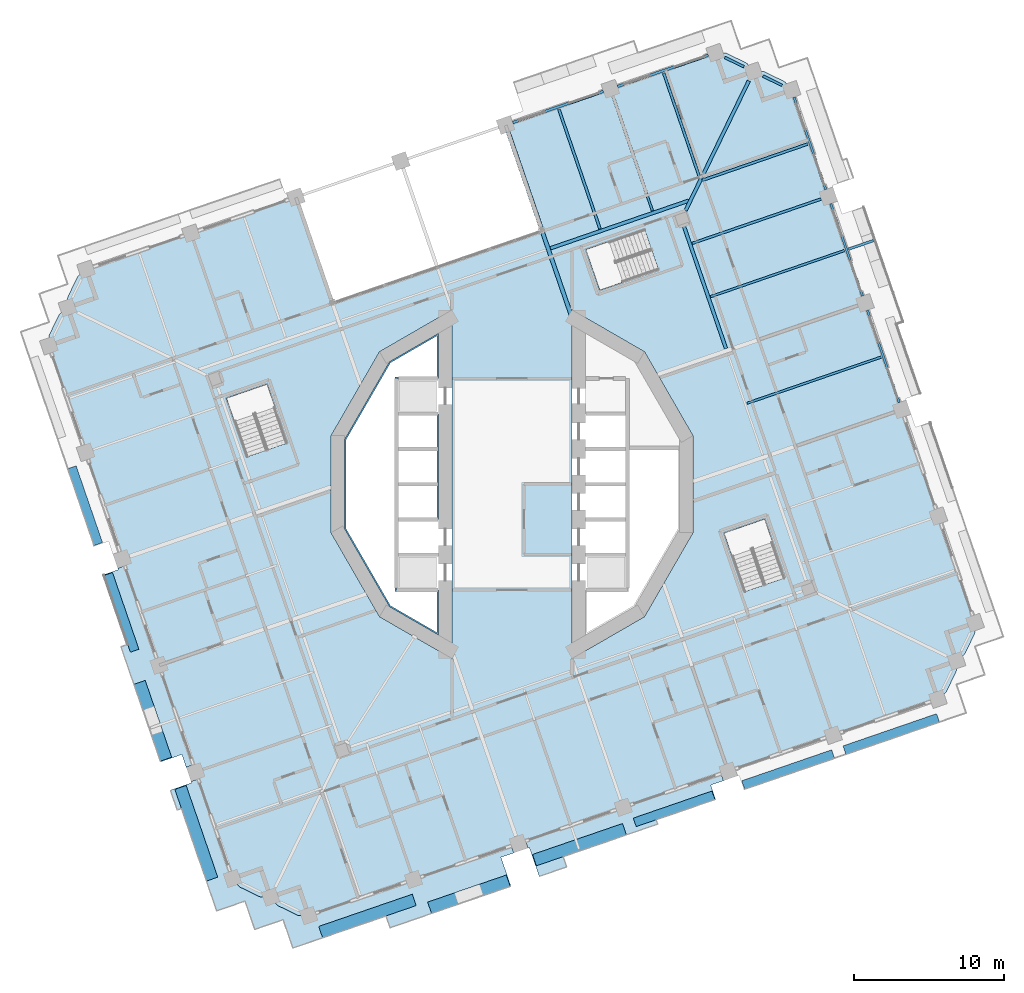
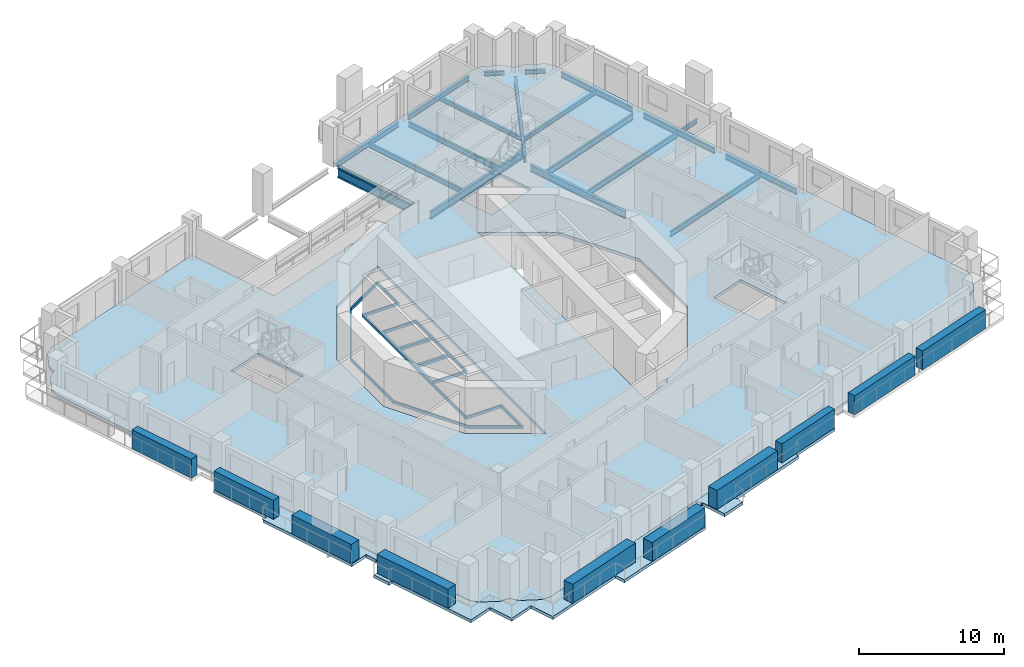
# One storey, part 5 of 22: 19 beams, 10 plates, 5 slabs.
"""IFC4 building model written with IfcOpenShell, lengths in metres."""

from ifc_helpers import new_model, si_unit, direction, frame, origin, origin_2d, place, context, subcontext, project, spatial, polyline, rectangle, i_section, outline, extrude, material, layer, layer_set, material_profile, profile_set, type_object, element, save


model = new_model("IFC4")

# Units and contexts
model_context = context("Model", 3, precision=1e-05, world=origin(), true_north=direction((0.0, 1.0)))
body_context = subcontext(model_context, "Body", "Model", "MODEL_VIEW")
ifc_project = project(units=[si_unit("LENGTHUNIT", "METRE"), si_unit("AREAUNIT", "SQUARE_METRE"), si_unit("VOLUMEUNIT", "CUBIC_METRE"), si_unit("PLANEANGLEUNIT", "RADIAN"), si_unit("MASSUNIT", "GRAM", prefix="KILO")], contexts=[model_context])

# Site, building, storey
site_placement = place(None, origin())
site = spatial("IfcSite", under=ifc_project, at=site_placement, CompositionType="ELEMENT")
building_placement = place(site_placement, origin())
building = spatial("IfcBuilding", under=site, at=building_placement, Name="Cantera Rosa Tower", CompositionType="ELEMENT")
storey_placement = place(building_placement, frame((0.0, 0.0, 138.300048828125)))
storey = spatial("IfcBuildingStorey", under=building, at=storey_placement, Name="L29", CompositionType="ELEMENT", Elevation=138.300048828125)

# Beams
ifc_material_1 = material(Name="Steel ASTM A992 (Fy 345 MPa)", Category="steel")
ifc_material_profile_1 = material_profile(ifc_material_1, i_section(OverallWidth=0.154052734375, OverallDepth=0.4599609375, WebThickness=0.009033203125, FlangeThickness=0.015380859375, FilletRadius=0.01025390625, at=origin_2d()), Name="W460X68")
ifc_profile_set_1 = profile_set([ifc_material_profile_1], Name="Steel ASTM A992 (Fy 345 MPa)")
beam_type_1 = type_object("IfcBeamType", Name="STEEL BEAM W460X68", PredefinedType="BEAM", material=ifc_profile_set_1)
beam_1_placement = place(storey_placement, frame((6.7333984375, 25.903564453125, -0.47998046875), z_axis=(0.325580085327, -0.945514467387, 0.0), x_axis=(0.945514467387, 0.325580085327, 0.0)))
element("IfcBeam", 1, at=beam_1_placement, inside=storey, type_object=beam_type_1, Name="G-Z2-05 L29", PredefinedType="BEAM", context=body_context, shape_type="SweptSolid", body=[
    extrude(i_section(OverallWidth=0.154052734375, OverallDepth=0.4599609375, WebThickness=0.009033203125, FlangeThickness=0.015380859375, FilletRadius=0.01025390625, at=origin_2d()), origin(), (0.0, 0.0, 1.0), 8.10009765625),
])
ifc_material_2 = material(Name="Steel ASTM A992 (Fy 345 MPa)", Category="steel")
ifc_material_profile_2 = material_profile(ifc_material_2, i_section(OverallWidth=0.166015625, OverallDepth=0.528076171875, WebThickness=0.009765625, FlangeThickness=0.013671875, FilletRadius=0.0126953125, at=origin_2d()), Name="W530X74")
ifc_profile_set_2 = profile_set([ifc_material_profile_2], Name="Steel ASTM A992 (Fy 345 MPa)")
beam_type_2 = type_object("IfcBeamType", Name="STEEL BEAM W530X74", PredefinedType="BEAM", material=ifc_profile_set_2)
beam_2_placement = place(storey_placement, frame((20.62744140625, 19.032470703125, -0.51416015625), z_axis=(-0.94551971591, -0.325564842737, 0.0), x_axis=(0.325564842737, -0.94551971591, 0.0)))
element("IfcBeam", 2, at=beam_2_placement, inside=storey, type_object=beam_type_2, Name="G-Z2-04 L29", PredefinedType="BEAM", context=body_context, shape_type="SweptSolid", body=[
    extrude(i_section(OverallWidth=0.166015625, OverallDepth=0.528076171875, WebThickness=0.009765625, FlangeThickness=0.013671875, FilletRadius=0.0126953125, at=origin_2d()), origin(), (0.0, 0.0, 1.0), 9.10009765625),
])
ifc_material_3 = material(Name="Steel ASTM A992 (Fy 345 MPa)", Category="steel")
ifc_material_profile_3 = material_profile(ifc_material_3, i_section(OverallWidth=0.22802734375, OverallDepth=0.60205078125, WebThickness=0.010498046875, FlangeThickness=0.014892578125, FilletRadius=0.0126953125, at=origin_2d()), Name="W610X101")
ifc_profile_set_3 = profile_set([ifc_material_profile_3], Name="Steel ASTM A992 (Fy 345 MPa)")
beam_type_3 = type_object("IfcBeamType", Name="STEEL BEAM W610X101", PredefinedType="BEAM", material=ifc_profile_set_3)
beam_3_placement = place(storey_placement, frame((15.7998046875, 26.909912109375, -0.551025390625), z_axis=(-0.438387618569, -0.898786012288, 0.0), x_axis=(0.898786012288, -0.438387618569, 0.0)))
element("IfcBeam", 3, at=beam_3_placement, inside=storey, type_object=beam_type_3, Name="CB-Z2-01 L29", PredefinedType="BEAM", context=body_context, shape_type="SweptSolid", body=[
    extrude(i_section(OverallWidth=0.22802734375, OverallDepth=0.60205078125, WebThickness=0.010498046875, FlangeThickness=0.014892578125, FilletRadius=0.0126953125, at=origin_2d()), origin(), (0.0, 0.0, 1.0), 9.61669921875),
])
beam_4_placement = place(storey_placement, frame((14.28076171875, 9.052490234375, -0.551025390625), z_axis=(-0.325559468466, 0.945521566381, 0.0), x_axis=(-0.945521566381, -0.325559468466, 0.0)))
element("IfcBeam", 4, at=beam_4_placement, inside=storey, type_object=beam_type_3, Name="RB-Z2-11 L29", PredefinedType="BEAM", context=body_context, shape_type="SweptSolid", body=[
    extrude(i_section(OverallWidth=0.22802734375, OverallDepth=0.60205078125, WebThickness=0.010498046875, FlangeThickness=0.014892578125, FilletRadius=0.0126953125, at=origin_2d()), origin(), (0.0, 0.0, 1.0), 8.68994140625),
])
ifc_material_4 = material(Name="Steel ASTM A992 (Fy 345 MPa)", Category="steel")
ifc_material_profile_4 = material_profile(ifc_material_4, i_section(OverallWidth=0.22900390625, OverallDepth=0.612060546875, WebThickness=0.011962890625, FlangeThickness=0.01953125, FilletRadius=0.0126953125, at=origin_2d()), Name="W610X125")
ifc_profile_set_4 = profile_set([ifc_material_profile_4], Name="Steel ASTM A992 (Fy 345 MPa)")
beam_type_4 = type_object("IfcBeamType", Name="STEEL BEAM W610X125", PredefinedType="BEAM", material=ifc_profile_set_4)
beam_5_placement = place(storey_placement, frame((2.564453125, 15.74267578125, -0.55615234375), z_axis=(0.945524824291, 0.325550006372, 0.0), x_axis=(-0.325550006372, 0.945524824291, 0.0)))
element("IfcBeam", 5, at=beam_5_placement, inside=storey, type_object=beam_type_4, Name="RB-Z2-04 L29", PredefinedType="BEAM", context=body_context, shape_type="SweptSolid", body=[
    extrude(i_section(OverallWidth=0.22900390625, OverallDepth=0.612060546875, WebThickness=0.011962890625, FlangeThickness=0.01953125, FilletRadius=0.0126953125, at=origin_2d()), origin(), (0.0, 0.0, 1.0), 9.749755859375),
])
ifc_material_5 = material(Name="Steel ASTM A992 (Fy 345 MPa)", Category="steel")
ifc_material_profile_5 = material_profile(ifc_material_5, i_section(OverallWidth=0.26708984375, OverallDepth=0.75390625, WebThickness=0.01318359375, FlangeThickness=0.01708984375, FilletRadius=0.0166015625, at=origin_2d()), Name="W760X147")
ifc_profile_set_5 = profile_set([ifc_material_profile_5], Name="Steel ASTM A992 (Fy 345 MPa)")
beam_type_5 = type_object("IfcBeamType", Name="STEEL BEAM W760X147", PredefinedType="BEAM", material=ifc_profile_set_5)
beam_6_placement = place(storey_placement, frame((-0.263427734375, 23.494384765625, -0.626953125), z_axis=(0.325569500581, -0.945518112091, 0.0), x_axis=(0.945518112091, 0.325569500581, 0.0)))
element("IfcBeam", 6, at=beam_6_placement, inside=storey, type_object=beam_type_5, Name="G-Z2-06 L29", PredefinedType="BEAM", context=body_context, shape_type="SweptSolid", body=[
    extrude(i_section(OverallWidth=0.26708984375, OverallDepth=0.75390625, WebThickness=0.01318359375, FlangeThickness=0.01708984375, FilletRadius=0.0166015625, at=origin_2d()), origin(), (0.0, 0.0, 1.0), 13.09521484375),
])
ifc_material_6 = material(Name="Steel ASTM A992 (Fy 345 MPa)", Category="steel")
ifc_material_profile_6 = material_profile(ifc_material_6, i_section(OverallWidth=0.1708984375, OverallDepth=0.35595703125, WebThickness=0.00732421875, FlangeThickness=0.01171875, FilletRadius=0.010009765625, at=origin_2d()), Name="W360X51")
ifc_profile_set_6 = profile_set([ifc_material_profile_6], Name="Steel ASTM A992 (Fy 345 MPa)")
beam_type_6 = type_object("IfcBeamType", Name="STEEL JOIST W360X51", PredefinedType="JOIST", material=ifc_profile_set_6)
beam_7_placement = place(storey_placement, frame((19.734130859375, 22.70166015625, -0.427978515625), z_axis=(-0.945518264054, -0.32556905925, 0.0), x_axis=(0.32556905925, -0.945518264054, 0.0)))
element("IfcBeam", 7, at=beam_7_placement, inside=storey, type_object=beam_type_6, Name="B-Z2-05 L29", PredefinedType="JOIST", context=body_context, shape_type="SweptSolid", body=[
    extrude(i_section(OverallWidth=0.1708984375, OverallDepth=0.35595703125, WebThickness=0.00732421875, FlangeThickness=0.01171875, FilletRadius=0.010009765625, at=origin_2d()), origin(), (0.0, 0.0, 1.0), 7.4599609375),
])
beam_8_placement = place(storey_placement, frame((10.117919921875, 27.43896484375, -0.427978515625), z_axis=(0.325565645331, -0.945519439557, 0.0), x_axis=(0.945519439557, 0.325565645331, 0.0)))
element("IfcBeam", 8, at=beam_8_placement, inside=storey, type_object=beam_type_6, Name="B-Z2-06 L29", PredefinedType="JOIST", context=body_context, shape_type="SweptSolid", body=[
    extrude(i_section(OverallWidth=0.1708984375, OverallDepth=0.35595703125, WebThickness=0.00732421875, FlangeThickness=0.01171875, FilletRadius=0.010009765625, at=origin_2d()), origin(), (0.0, 0.0, 1.0), 7.39990234375),
])
beam_9_placement = place(storey_placement, frame((22.447265625, 15.6826171875, -0.427978515625), z_axis=(0.945557978721, 0.32545369698, 0.0), x_axis=(-0.32545369698, 0.945557978721, 0.0)))
element("IfcBeam", 9, at=beam_9_placement, inside=storey, type_object=beam_type_6, Name="BS-Z2-23 L29", PredefinedType="JOIST", context=body_context, shape_type="SweptSolid", body=[
    extrude(i_section(OverallWidth=0.1708984375, OverallDepth=0.35595703125, WebThickness=0.00732421875, FlangeThickness=0.01171875, FilletRadius=0.010009765625, at=origin_2d()), origin(), (0.0, 0.0, 1.0), 1.751708984375),
])
ifc_material_7 = material(Name="Steel ASTM A992 (Fy 345 MPa)", Category="steel")
ifc_material_profile_7 = material_profile(ifc_material_7, i_section(OverallWidth=0.177978515625, OverallDepth=0.406005859375, WebThickness=0.0078125, FlangeThickness=0.0126953125, FilletRadius=0.01025390625, at=origin_2d()), Name="W410X60")
ifc_profile_set_7 = profile_set([ifc_material_profile_7], Name="Steel ASTM A992 (Fy 345 MPa)")
beam_type_7 = type_object("IfcBeamType", Name="STEEL JOIST W410X60", PredefinedType="JOIST", material=ifc_profile_set_7)
beam_10_placement = place(storey_placement, frame((3.12109375, 25.02978515625, -0.453125), z_axis=(0.325565025235, -0.945519653071, 0.0), x_axis=(0.945519653071, 0.325565025235, 0.0)))
element("IfcBeam", 10, at=beam_10_placement, inside=storey, type_object=beam_type_7, Name="B-Z2-07 L29", PredefinedType="JOIST", context=body_context, shape_type="SweptSolid", body=[
    extrude(i_section(OverallWidth=0.177978515625, OverallDepth=0.406005859375, WebThickness=0.0078125, FlangeThickness=0.0126953125, FilletRadius=0.01025390625, at=origin_2d()), origin(), (0.0, 0.0, 1.0), 8.449951171875),
])
ifc_material_8 = material(Name="Steel ASTM A992 (Fy 345 MPa)", Category="steel")
ifc_material_profile_8 = material_profile(ifc_material_8, i_section(OverallWidth=0.154052734375, OverallDepth=0.4599609375, WebThickness=0.009033203125, FlangeThickness=0.015380859375, FilletRadius=0.01025390625, at=origin_2d()), Name="W460X68")
ifc_profile_set_8 = profile_set([ifc_material_profile_8], Name="Steel ASTM A992 (Fy 345 MPa)")
beam_type_8 = type_object("IfcBeamType", Name="STEEL JOIST W460X68", PredefinedType="JOIST", material=ifc_profile_set_8)
beam_11_placement = place(storey_placement, frame((24.630859375, 8.48095703125, -0.47998046875), z_axis=(-0.945526896389, -0.325543988125, 0.0), x_axis=(0.325543988125, -0.945526896389, 0.0)))
element("IfcBeam", 11, at=beam_11_placement, inside=storey, type_object=beam_type_8, Name="B-Z2-03 L29", PredefinedType="JOIST", context=body_context, shape_type="SweptSolid", body=[
    extrude(i_section(OverallWidth=0.154052734375, OverallDepth=0.4599609375, WebThickness=0.009033203125, FlangeThickness=0.015380859375, FilletRadius=0.01025390625, at=origin_2d()), origin(), (0.0, 0.0, 1.0), 9.4501953125),
])
beam_12_placement = place(storey_placement, frame((22.182373046875, 15.59130859375, -0.47998046875), z_axis=(-0.94551620555, -0.325575037498, 0.0), x_axis=(0.325575037498, -0.94551620555, 0.0)))
element("IfcBeam", 12, at=beam_12_placement, inside=storey, type_object=beam_type_8, Name="B-Z2-04 L29", PredefinedType="JOIST", context=body_context, shape_type="SweptSolid", body=[
    extrude(i_section(OverallWidth=0.154052734375, OverallDepth=0.4599609375, WebThickness=0.009033203125, FlangeThickness=0.015380859375, FilletRadius=0.01025390625, at=origin_2d()), origin(), (0.0, 0.0, 1.0), 9.449951171875),
])
ifc_material_9 = material(Name="Steel ASTM A992 (Fy 345 MPa)", Category="steel")
ifc_material_profile_9 = material_profile(ifc_material_9, i_section(OverallWidth=0.1708984375, OverallDepth=0.35595703125, WebThickness=0.00732421875, FlangeThickness=0.01171875, FilletRadius=0.010009765625, at=origin_2d()), Name="W360X51")
ifc_profile_set_9 = profile_set([ifc_material_profile_9], Name="Steel ASTM A992 (Fy 345 MPa)")
beam_type_9 = type_object("IfcBeamType", Name="STEEL SPANDREL BEAM W360X51", PredefinedType="SPANDREL", material=ifc_profile_set_9)
for number, where, z_axis, x_axis, name in (
    (13, (18.016357421875, 26.61572265625, -0.427978515625), (-0.898803287583, 0.438352198842, 0.0), (-0.438352198842, -0.898803287583, 0.0), "EB-Z2-06 L29"),
    (14, (15.47412109375, 27.85546875, -0.427978515625), (-0.898803287583, 0.438352198842, 0.0), (-0.438352198842, -0.898803287583, 0.0), "EB-Z2-07 L29"),
):
    element("IfcBeam", number, at=place(storey_placement, frame(where, z_axis=z_axis, x_axis=x_axis)), inside=storey, type_object=beam_type_9, Name=name, PredefinedType="SPANDREL", context=body_context, shape_type="SweptSolid", body=[
        extrude(i_section(OverallWidth=0.1708984375, OverallDepth=0.35595703125, WebThickness=0.00732421875, FlangeThickness=0.01171875, FilletRadius=0.010009765625, at=origin_2d()), origin(), (0.0, 0.0, 1.0), 1.4140625),
    ])
ifc_material_10 = material(Name="Steel ASTM A992 (Fy 345 MPa)", Category="steel")
ifc_material_profile_10 = material_profile(ifc_material_10, i_section(OverallWidth=0.177978515625, OverallDepth=0.406005859375, WebThickness=0.0078125, FlangeThickness=0.0126953125, FilletRadius=0.01025390625, at=origin_2d()), Name="W410X60")
ifc_profile_set_10 = profile_set([ifc_material_profile_10], Name="Steel ASTM A992 (Fy 345 MPa)")
beam_type_10 = type_object("IfcBeamType", Name="STEEL SPANDREL BEAM W410X60", PredefinedType="SPANDREL", material=ifc_profile_set_10)
for number, where, z_axis, x_axis, name in (
    (15, (13.0947265625, 28.62255859375, -0.453125), (-0.945524496524, -0.325550958337, 0.0), (0.325550958337, -0.945524496524, 0.0), "EB-Z2-08 L29"),
    (16, (6.097900390625, 26.21337890625, -0.453125), (-0.945524496524, -0.325550958337, 0.0), (0.325550958337, -0.945524496524, 0.0), "EB-Z2-09 L29"),
):
    element("IfcBeam", number, at=place(storey_placement, frame(where, z_axis=z_axis, x_axis=x_axis)), inside=storey, type_object=beam_type_10, Name=name, PredefinedType="SPANDREL", context=body_context, shape_type="SweptSolid", body=[
        extrude(i_section(OverallWidth=0.177978515625, OverallDepth=0.406005859375, WebThickness=0.0078125, FlangeThickness=0.0126953125, FilletRadius=0.01025390625, at=origin_2d()), origin(), (0.0, 0.0, 1.0), 6.39990234375),
    ])
ifc_material_11 = material(Name="Steel ASTM A992 (Fy 345 MPa)", Category="steel")
ifc_material_profile_11 = material_profile(ifc_material_11, i_section(OverallWidth=0.154052734375, OverallDepth=0.4599609375, WebThickness=0.009033203125, FlangeThickness=0.015380859375, FilletRadius=0.01025390625, at=origin_2d()), Name="W460X68")
ifc_profile_set_11 = profile_set([ifc_material_profile_11], Name="Steel ASTM A992 (Fy 345 MPa)")
beam_type_11 = type_object("IfcBeamType", Name="STEEL SPANDREL BEAM W460X68", PredefinedType="SPANDREL", material=ifc_profile_set_11)
for number, where, z_axis, x_axis, name in (
    (17, (25.833984375, 5.447509765625, -0.47998046875), (-0.325580990241, 0.945514155787, 0.0), (-0.945514155787, -0.325580990241, 0.0), "EB-Z2-03 L29"),
    (18, (23.3857421875, 12.557861328125, -0.47998046875), (-0.325580990241, 0.945514155787, 0.0), (-0.945514155787, -0.325580990241, 0.0), "EB-Z2-04 L29"),
):
    element("IfcBeam", number, at=place(storey_placement, frame(where, z_axis=z_axis, x_axis=x_axis)), inside=storey, type_object=beam_type_11, Name=name, PredefinedType="SPANDREL", context=body_context, shape_type="SweptSolid", body=[
        extrude(i_section(OverallWidth=0.154052734375, OverallDepth=0.4599609375, WebThickness=0.009033203125, FlangeThickness=0.015380859375, FilletRadius=0.01025390625, at=origin_2d()), origin(), (0.0, 0.0, 1.0), 6.52001953125),
    ])
beam_13_placement = place(storey_placement, frame((20.9375, 19.668212890625, -0.47998046875), z_axis=(-0.325592517631, 0.945510186335, 0.0), x_axis=(-0.945510186335, -0.325592517631, 0.0)))
element("IfcBeam", 19, at=beam_13_placement, inside=storey, type_object=beam_type_11, Name="EB-Z2-05 L29", PredefinedType="SPANDREL", context=body_context, shape_type="SweptSolid", body=[
    extrude(i_section(OverallWidth=0.154052734375, OverallDepth=0.4599609375, WebThickness=0.009033203125, FlangeThickness=0.015380859375, FilletRadius=0.01025390625, at=origin_2d()), origin(), (0.0, 0.0, 1.0), 6.519775390625),
])

# Slabs
ifc_material_12 = material(Name="Concrete C35/45", Category="concrete")
ifc_layer_1 = layer(ifc_material_12, 0.25)
ifc_layer_set_1 = layer_set([ifc_layer_1], Name="COMPOSITE FLOOR SLAB 250 C35/45")
slab_type_1 = type_object("IfcSlabType", Name="COMPOSITE FLOOR SLAB 250 C35/45", PredefinedType="FLOOR", material=ifc_layer_set_1)
slab_1_placement = place(storey_placement, frame((0.0, 0.0, -0.25)))
element("IfcSlab", 20, at=slab_1_placement, inside=storey, type_object=slab_type_1, Name="SLAB L29 floor 1", PredefinedType="FLOOR", context=body_context, shape_type="SweptSolid", body=[
    extrude(outline(polyline([(-7.699951171875, -7.050048828125), (-4.89990234375, -7.050048828125), (-4.89990234375, -10.07373046875), (-8.179931640625, -8.179931640625), (-11.174072265625, -2.994140625), (-11.174072265625, 2.994140625), (-8.179931640625, 8.179931640625), (-4.89990234375, 10.07373046875), (-4.89990234375, 7.050048828125), (-7.699951171875, 7.050048828125), (-7.699951171875, 4.699951171875), (-4.89990234375, 4.699951171875), (-4.89990234375, -2.35009765625), (-7.699951171875, -2.35009765625), (-7.699951171875, -4.699951171875), (-7.699951171875, -7.050048828125)]), holes=[polyline([(-7.60009765625, -2.25), (-5.0, -2.25), (-5.0, -0.10009765625), (-7.60009765625, -0.10009765625), (-7.60009765625, -2.25)]), polyline([(-7.800048828125, 7.14990234375), (-5.0, 7.14990234375), (-5.0, 9.900390625), (-8.106689453125, 8.106689453125), (-11.07421875, 2.96728515625), (-11.07421875, -2.96728515625), (-8.106689453125, -8.106689453125), (-5.0, -9.900390625), (-5.0, -7.14990234375), (-7.800048828125, -7.14990234375), (-7.800048828125, -2.449951171875), (-7.800048828125, -2.25), (-7.800048828125, 2.25), (-7.800048828125, 2.449951171875), (-7.800048828125, 7.14990234375)]), polyline([(-7.60009765625, 0.10009765625), (-5.0, 0.10009765625), (-5.0, 2.25), (-7.60009765625, 2.25), (-7.60009765625, 0.10009765625)]), polyline([(-7.60009765625, 2.449951171875), (-5.0, 2.449951171875), (-5.0, 4.60009765625), (-7.60009765625, 4.60009765625), (-7.60009765625, 2.449951171875)])]), origin(), (0.0, 0.0, 1.0), 0.25),
])
slab_2_placement = place(storey_placement, frame((0.0, 0.0, -0.25)))
element("IfcSlab", 21, at=slab_2_placement, inside=storey, type_object=slab_type_1, Name="SLAB L29 floor 2", PredefinedType="FLOOR", context=body_context, shape_type="SweptSolid", body=[
    extrude(outline(polyline([(-14.334716796875, -28.7451171875), (-15.605712890625, -28.125), (-15.631591796875, -28.111083984375), (-15.65576171875, -28.09423828125), (-15.67822265625, -28.075439453125), (-15.698974609375, -28.05419921875), (-16.109619140625, -27.54541015625), (-16.763671875, -27.534912109375), (-16.79296875, -27.53173828125), (-16.82177734375, -27.525634765625), (-16.849609375, -27.516845703125), (-16.876708984375, -27.505126953125), (-18.14794921875, -26.88525390625), (-18.173583984375, -26.87109375), (-18.197998046875, -26.8544921875), (-18.220458984375, -26.83544921875), (-18.240966796875, -26.814453125), (-18.65185546875, -26.3056640625), (-18.948974609375, -25.443115234375), (-30.893310546875, 9.245849609375), (-30.8828125, 9.899658203125), (-30.87939453125, 9.928955078125), (-30.873291015625, 9.957763671875), (-30.864501953125, 9.98583984375), (-30.852783203125, 10.012939453125), (-30.23291015625, 11.283935546875), (-30.21875, 11.309814453125), (-30.2021484375, 11.333984375), (-30.18310546875, 11.356689453125), (-30.162109375, 11.377197265625), (-29.6533203125, 11.7880859375), (-29.642822265625, 12.44189453125), (-29.6396484375, 12.47119140625), (-29.633544921875, 12.5), (-29.62451171875, 12.528076171875), (-29.613037109375, 12.55517578125), (-28.9931640625, 13.826171875), (-28.97900390625, 13.85205078125), (-28.962158203125, 13.876220703125), (-28.943359375, 13.898681640625), (-28.922119140625, 13.91943359375), (-28.41357421875, 14.330078125), (-27.55078125, 14.627197265625), (-14.419921875, 19.148681640625), (-11.97802734375, 12.05712890625), (2.015625, 16.87548828125), (-0.426025390625, 23.967041015625), (13.567626953125, 28.785400390625), (14.221435546875, 28.77490234375), (14.250732421875, 28.771728515625), (14.279541015625, 28.765625), (14.3076171875, 28.756591796875), (14.334716796875, 28.7451171875), (15.605712890625, 28.125), (15.631591796875, 28.111083984375), (15.65576171875, 28.09423828125), (15.67822265625, 28.075439453125), (15.698974609375, 28.05419921875), (16.109619140625, 27.54541015625), (16.763671875, 27.534912109375), (16.79296875, 27.53173828125), (16.82177734375, 27.525634765625), (16.849609375, 27.516845703125), (16.876708984375, 27.505126953125), (18.14794921875, 26.88525390625), (18.173583984375, 26.87109375), (18.197998046875, 26.8544921875), (18.220458984375, 26.83544921875), (18.240966796875, 26.814453125), (18.65185546875, 26.3056640625), (18.948974609375, 25.443115234375), (30.893310546875, -9.245849609375), (30.8828125, -9.899658203125), (30.87939453125, -9.928955078125), (30.873291015625, -9.957763671875), (30.864501953125, -9.98583984375), (30.852783203125, -10.012939453125), (30.23291015625, -11.283935546875), (30.21875, -11.309814453125), (30.2021484375, -11.333984375), (30.18310546875, -11.356689453125), (30.162109375, -11.377197265625), (29.6533203125, -11.7880859375), (29.642822265625, -12.44189453125), (29.6396484375, -12.47119140625), (29.633544921875, -12.5), (29.62451171875, -12.528076171875), (29.613037109375, -12.55517578125), (28.9931640625, -13.826171875), (28.97900390625, -13.85205078125), (28.962158203125, -13.876220703125), (28.943359375, -13.898681640625), (28.922119140625, -13.91943359375), (28.41357421875, -14.330078125), (27.55078125, -14.627197265625), (-13.567626953125, -28.785400390625), (-14.221435546875, -28.77490234375), (-14.250732421875, -28.771728515625), (-14.279541015625, -28.765625), (-14.3076171875, -28.756591796875), (-14.334716796875, -28.7451171875)]), holes=[polyline([(-8.8388671875, 8.8388671875), (-12.07421875, 3.235107421875), (-12.07421875, -3.235107421875), (-8.8388671875, -8.8388671875), (-4.0, -11.632568359375), (-4.0, 11.632568359375), (-8.8388671875, 8.8388671875)]), polyline([(-17.695556640625, 1.82373046875), (-15.000732421875, 2.751708984375), (-16.347900390625, 6.6640625), (-19.042724609375, 5.736083984375), (-17.695556640625, 1.82373046875)]), polyline([(18.19921875, -6.248291015625), (16.85205078125, -2.3359375), (14.1572265625, -3.263916015625), (15.50439453125, -7.17626953125), (18.19921875, -6.248291015625)]), polyline([(8.8388671875, -8.8388671875), (12.07421875, -3.235107421875), (12.07421875, 3.235107421875), (8.8388671875, 8.8388671875), (4.0, 11.632568359375), (4.0, -11.632568359375), (8.8388671875, -8.8388671875)]), polyline([(9.7763671875, 14.304443359375), (8.848388671875, 16.999267578125), (4.935791015625, 15.652099609375), (5.86376953125, 12.957275390625), (9.7763671875, 14.304443359375)])]), origin(), (0.0, 0.0, 1.0), 0.25),
])
ifc_material_13 = material(Name="Concrete C35/45", Category="concrete")
ifc_layer_2 = layer(ifc_material_13, 0.25)
ifc_layer_set_2 = layer_set([ifc_layer_2], Name="LOGGIA SLAB 250 C35/45")
slab_type_2 = type_object("IfcSlabType", Name="LOGGIA SLAB 250 C35/45", PredefinedType="FLOOR", material=ifc_layer_set_2)
slab_3_placement = place(storey_placement, frame((0.0, 0.0, -0.25)))
element("IfcSlab", 22, at=slab_3_placement, inside=storey, type_object=slab_type_2, Name="LOGGIA SLAB L29 2", PredefinedType="FLOOR", context=body_context, shape_type="SweptSolid", body=[
    extrude(outline(polyline([(-27.2412109375, -6.037841796875), (-26.274169921875, -5.704833984375), (-26.306640625, -5.6103515625), (-25.833984375, -5.447509765625), (-21.262939453125, -18.72265625), (-21.735595703125, -18.885498046875), (-22.02880859375, -18.034423828125), (-23.448486328125, -18.523193359375), (-26.0927734375, -10.843994140625), (-25.639892578125, -10.688232421875), (-27.2412109375, -6.037841796875)])), origin(), (0.0, 0.0, 1.0), 0.25),
])
slab_4_placement = place(storey_placement, frame((0.0, 0.0, -0.25)))
element("IfcSlab", 23, at=slab_4_placement, inside=storey, type_object=slab_type_2, Name="LOGGIA SLAB L29 3", PredefinedType="FLOOR", context=body_context, shape_type="SweptSolid", body=[
    extrude(outline(polyline([(-13.01416015625, -30.392822265625), (-14.62158203125, -30.9462890625), (-15.1748046875, -29.3388671875), (-15.272705078125, -29.05517578125), (-15.556396484375, -29.15283203125), (-17.16357421875, -29.706298828125), (-17.717041015625, -28.09912109375), (-17.814697265625, -27.815185546875), (-18.098388671875, -27.9130859375), (-19.705810546875, -28.466552734375), (-20.25927734375, -26.859130859375), (-22.055908203125, -21.641357421875), (-22.341064453125, -21.739501953125), (-22.79736328125, -20.414306640625), (-21.377685546875, -19.92529296875), (-21.41015625, -19.830810546875), (-20.9375, -19.668212890625), (-18.948974609375, -25.443115234375), (-18.65185546875, -26.3056640625), (-18.240966796875, -26.814453125), (-18.220458984375, -26.83544921875), (-18.197998046875, -26.8544921875), (-18.173583984375, -26.87109375), (-18.14794921875, -26.88525390625), (-16.876708984375, -27.505126953125), (-16.849609375, -27.516845703125), (-16.82177734375, -27.525634765625), (-16.79296875, -27.53173828125), (-16.763671875, -27.534912109375), (-16.109619140625, -27.54541015625), (-15.698974609375, -28.05419921875), (-15.67822265625, -28.075439453125), (-15.65576171875, -28.09423828125), (-15.631591796875, -28.111083984375), (-15.605712890625, -28.125), (-14.334716796875, -28.7451171875), (-14.3076171875, -28.756591796875), (-14.279541015625, -28.765625), (-14.250732421875, -28.771728515625), (-14.221435546875, -28.77490234375), (-13.567626953125, -28.785400390625), (-0.046630859375, -24.1298828125), (0.1162109375, -24.6025390625), (-0.73486328125, -24.8955078125), (-0.0732421875, -26.81689453125), (-8.140380859375, -29.594482421875), (-8.411376953125, -28.807861328125), (-13.01416015625, -30.392822265625)])), origin(), (0.0, 0.0, 1.0), 0.25),
])
slab_5_placement = place(storey_placement, frame((0.0, 0.0, -0.25)))
element("IfcSlab", 24, at=slab_5_placement, inside=storey, type_object=slab_type_2, Name="LOGGIA SLAB L29 4", PredefinedType="FLOOR", context=body_context, shape_type="SweptSolid", body=[
    extrude(outline(polyline([(1.061767578125, -24.277099609375), (0.89892578125, -23.80419921875), (13.947021484375, -19.311279296875), (14.10986328125, -19.7841796875), (13.2587890625, -20.0771484375), (13.58447265625, -21.022705078125), (13.489990234375, -21.05517578125), (9.619873046875, -22.3876953125), (9.7197265625, -22.677978515625), (3.408447265625, -24.851318359375), (3.64453125, -25.53662109375), (1.81787109375, -26.165771484375), (1.15625, -24.244384765625), (1.061767578125, -24.277099609375)])), origin(), (0.0, 0.0, 1.0), 0.25),
])

# Plates
ifc_material_14 = material(Name="Cantera stone planter with soil", Category="masonry")
plate_type_1 = type_object("IfcPlateType", Name="PLANTER 600", PredefinedType="USERDEFINED", material=ifc_material_14)
for number, where, z_axis, x_axis, name in (
    (25, (-28.485595703125, -1.43212890625, 0.0), (0.0, 0.0, 1.0), (0.325568154457, -0.945518575599, 0.0), "PLANTER L29-13"),
    (26, (-26.05908203125, -8.5498046875, 0.0), (0.0, 0.0, 1.0), (0.325568154457, -0.945518575599, 0.0), "PLANTER L29-14"),
):
    element("IfcPlate", number, at=place(storey_placement, frame(where, z_axis=z_axis, x_axis=x_axis)), inside=storey, type_object=plate_type_1, Name=name, ObjectType="PLANTER", PredefinedType="USERDEFINED", context=body_context, shape_type="SweptSolid", body=[
        extrude(rectangle(XDim=5.419921875, YDim=0.60009765625, at=origin_2d()), origin(), (0.0, 0.0, 1.0), 1.60009765625),
    ])
plate_1_placement = place(storey_placement, frame((10.815673828125, -21.65869140625, 0.0), z_axis=(0.0, 0.0, 1.0), x_axis=(0.945518575599, 0.325568154457, 0.0)))
element("IfcPlate", 27, at=plate_1_placement, inside=storey, type_object=plate_type_1, Name="PLANTER L29-20", ObjectType="PLANTER", PredefinedType="USERDEFINED", context=body_context, shape_type="SweptSolid", body=[
    extrude(rectangle(XDim=5.550048828125, YDim=0.60009765625, at=origin_2d()), origin(), (0.0, 0.0, 1.0), 1.60009765625),
])
plate_2_placement = place(storey_placement, frame((18.427001953125, -19.037841796875, 0.0), z_axis=(0.0, 0.0, 1.0), x_axis=(0.945518575599, 0.325568154457, 0.0)))
element("IfcPlate", 28, at=plate_2_placement, inside=storey, type_object=plate_type_1, Name="PLANTER L29-21", ObjectType="PLANTER", PredefinedType="USERDEFINED", context=body_context, shape_type="SweptSolid", body=[
    extrude(rectangle(XDim=6.35009765625, YDim=0.60009765625, at=origin_2d()), origin(), (0.0, 0.0, 1.0), 1.60009765625),
])
plate_3_placement = place(storey_placement, frame((25.3056640625, -16.66943359375, 0.0), z_axis=(0.0, 0.0, 1.0), x_axis=(0.945518575599, 0.325568154457, 0.0)))
element("IfcPlate", 29, at=plate_3_placement, inside=storey, type_object=plate_type_1, Name="PLANTER L29-22", ObjectType="PLANTER", PredefinedType="USERDEFINED", context=body_context, shape_type="SweptSolid", body=[
    extrude(rectangle(XDim=6.60009765625, YDim=0.60009765625, at=origin_2d()), origin(), (0.0, 0.0, 1.0), 1.60009765625),
])
ifc_material_15 = material(Name="Cantera stone planter with soil", Category="masonry")
plate_type_2 = type_object("IfcPlateType", Name="PLANTER 800", PredefinedType="USERDEFINED", material=ifc_material_15)
plate_4_placement = place(storey_placement, frame((-23.968994140625, -15.783447265625, 0.0), z_axis=(0.0, 0.0, 1.0), x_axis=(0.325568154457, -0.945518575599, 0.0)))
element("IfcPlate", 30, at=plate_4_placement, inside=storey, type_object=plate_type_2, Name="PLANTER L29-15", ObjectType="PLANTER", PredefinedType="USERDEFINED", context=body_context, shape_type="SweptSolid", body=[
    extrude(rectangle(XDim=5.419921875, YDim=0.800048828125, at=origin_2d()), origin(), (0.0, 0.0, 1.0), 1.60009765625),
])
plate_5_placement = place(storey_placement, frame((-21.064453125, -23.2919921875, 0.0), z_axis=(0.0, 0.0, 1.0), x_axis=(0.325568154457, -0.945518575599, 0.0)))
element("IfcPlate", 31, at=plate_5_placement, inside=storey, type_object=plate_type_2, Name="PLANTER L29-16", ObjectType="PLANTER", PredefinedType="USERDEFINED", context=body_context, shape_type="SweptSolid", body=[
    extrude(rectangle(XDim=6.469970703125, YDim=0.800048828125, at=origin_2d()), origin(), (0.0, 0.0, 1.0), 1.60009765625),
])
plate_6_placement = place(storey_placement, frame((-9.64599609375, -28.81005859375, 0.0), z_axis=(0.0, 0.0, 1.0), x_axis=(0.945518575599, 0.325568154457, 0.0)))
element("IfcPlate", 32, at=plate_6_placement, inside=storey, type_object=plate_type_2, Name="PLANTER L29-17", ObjectType="PLANTER", PredefinedType="USERDEFINED", context=body_context, shape_type="SweptSolid", body=[
    extrude(rectangle(XDim=6.60009765625, YDim=0.800048828125, at=origin_2d()), origin(), (0.0, 0.0, 1.0), 1.60009765625),
])
plate_7_placement = place(storey_placement, frame((-2.87451171875, -27.3583984375, 0.0), z_axis=(0.0, 0.0, 1.0), x_axis=(0.945518575599, 0.325568154457, 0.0)))
element("IfcPlate", 33, at=plate_7_placement, inside=storey, type_object=plate_type_2, Name="PLANTER L29-18", ObjectType="PLANTER", PredefinedType="USERDEFINED", context=body_context, shape_type="SweptSolid", body=[
    extrude(rectangle(XDim=5.550048828125, YDim=0.800048828125, at=origin_2d()), origin(), (0.0, 0.0, 1.0), 1.60009765625),
])
plate_8_placement = place(storey_placement, frame((4.500732421875, -24.052001953125, 0.0), z_axis=(0.0, 0.0, 1.0), x_axis=(0.945518575599, 0.325568154457, 0.0)))
element("IfcPlate", 34, at=plate_8_placement, inside=storey, type_object=plate_type_2, Name="PLANTER L29-19", ObjectType="PLANTER", PredefinedType="USERDEFINED", context=body_context, shape_type="SweptSolid", body=[
    extrude(rectangle(XDim=6.35009765625, YDim=0.800048828125, at=origin_2d()), origin(), (0.0, 0.0, 1.0), 1.60009765625),
])

save(model, "model.ifc")
